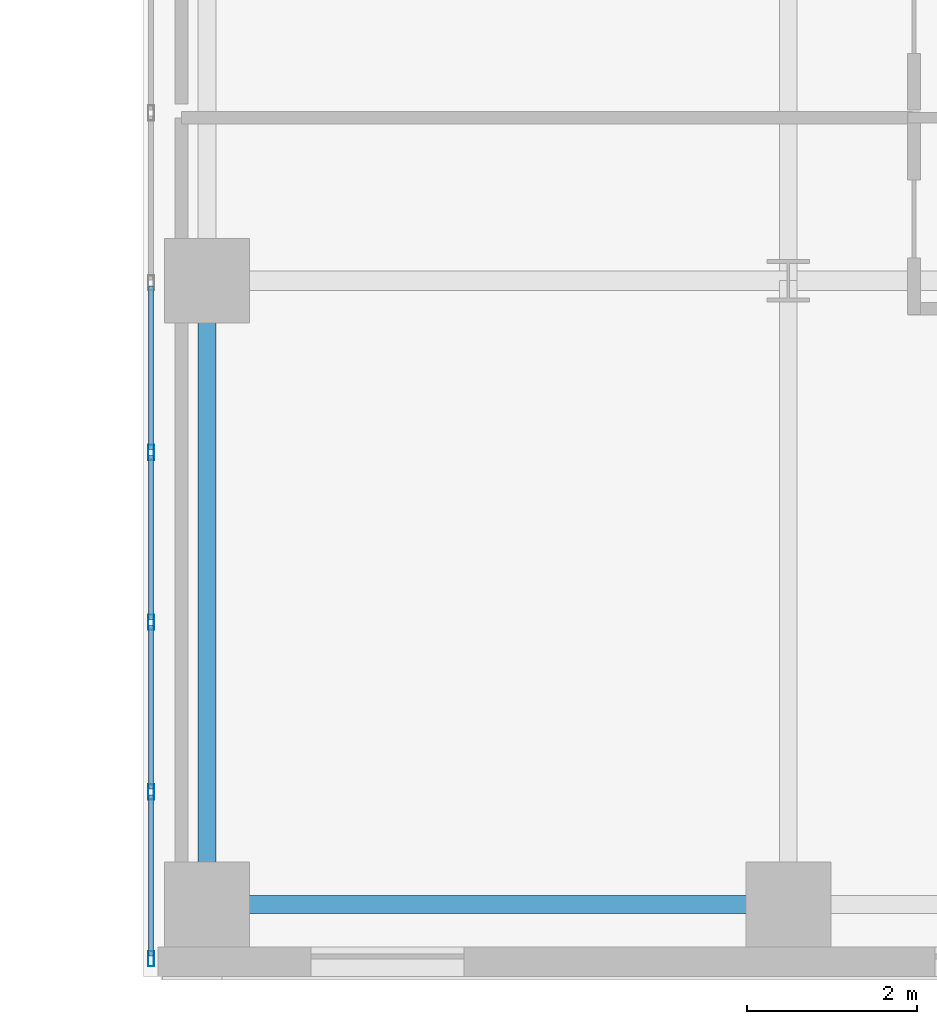
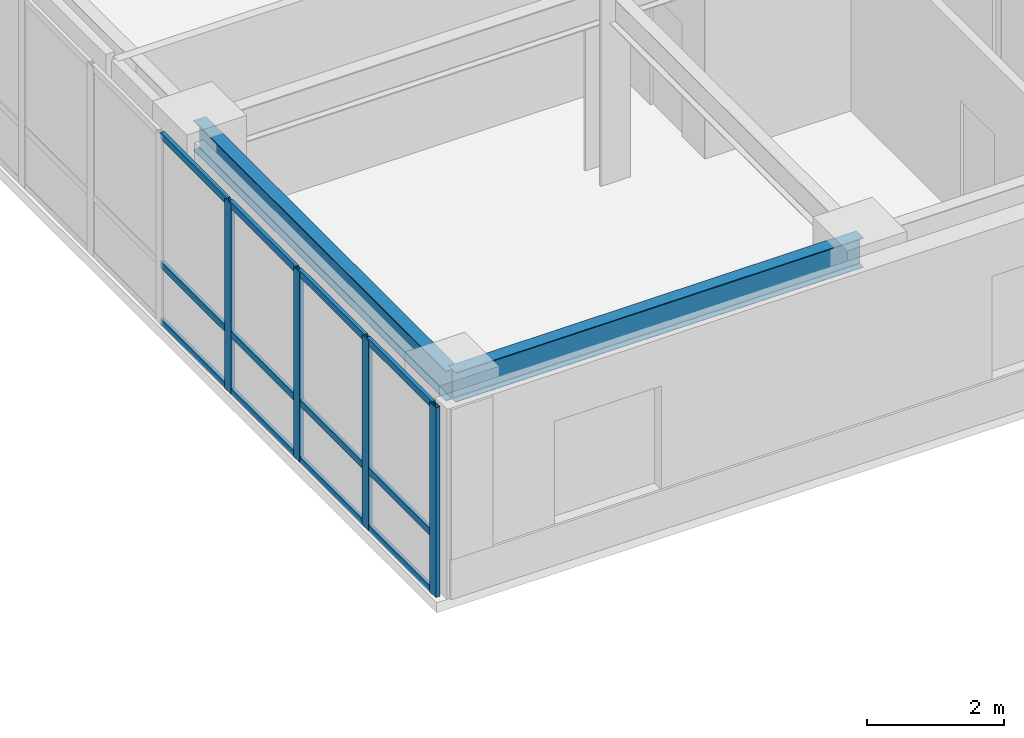
# One storey, part 7 of 25: 16 members, 2 beams, 1 element without a shape of its own.
"""IFC4 building model written with IfcOpenShell, lengths in metres."""

import ifcopenshell
import ifcopenshell.guid

model = None  # the IFC model being written
_history = None  # IfcOwnerHistory: only IFC2X3 demands one
_inside = {}  # id of a spatial element -> (the spatial element, [elements in it])
_under = {}  # id of a project, library or spatial element -> (it, [spatial elements below it])
_declared = {}  # id of a project -> (the project, [libraries it declares])
_typed = {}  # id of a type object -> (the type object, [elements of that type])
_made_of = {}  # id of a material, layer set ... -> (it, [elements and type objects made of it])


def new_model(schema):
    """Start an empty IFC model of exactly this schema.

    Asked for "IFC4X3", IfcOpenShell would pick the latest addendum, in which some entities
    have other attributes; the version numbers below select the first issue.
    IFC2X3 requires an IfcOwnerHistory on every rooted entity: one is made here for all.
    """
    global model, _history
    if schema == "IFC4X3":
        model = ifcopenshell.file(schema_version=(4, 3, 0, 0))
    else:
        model = ifcopenshell.file(schema=schema)
    _inside.clear()
    _under.clear()
    _declared.clear()
    _typed.clear()
    _made_of.clear()
    _history = None
    if model.schema == "IFC2X3":
        org = make("IfcOrganization", Name="unknown")
        user = make(
            "IfcPersonAndOrganization",
            ThePerson=make("IfcPerson", FamilyName="unknown"),
            TheOrganization=org,
        )
        app = make(
            "IfcApplication",
            ApplicationDeveloper=org,
            Version="unknown",
            ApplicationFullName="unknown",
            ApplicationIdentifier="unknown",
        )
        _history = make(
            "IfcOwnerHistory",
            OwningUser=user,
            OwningApplication=app,
            ChangeAction="ADDED",
            CreationDate=0,
        )
    return model


def make(cls, **values):
    """One entity of the class cls with the attributes given. An attribute that is None is left unset."""
    return model.create_entity(
        cls, **{name: value for name, value in values.items() if value is not None}
    )


def rooted(cls, **values):
    """An entity with a GlobalId (a new one), such as an element, a storey or a relation."""
    return make(cls, GlobalId=ifcopenshell.guid.new(), OwnerHistory=_history, **values)


def si_unit(unit_type, name, prefix=None):
    """IfcSIUnit, for example si_unit("LENGTHUNIT", "METRE", prefix="MILLI")."""
    return make("IfcSIUnit", UnitType=unit_type, Prefix=prefix, Name=name)


def assignment(units):
    """IfcUnitAssignment: the units of a project."""
    return None if units is None else make("IfcUnitAssignment", Units=units)


def point(xyz):
    """IfcCartesianPoint."""
    return None if xyz is None else make("IfcCartesianPoint", Coordinates=xyz)


def direction(xyz):
    """IfcDirection."""
    return None if xyz is None else make("IfcDirection", DirectionRatios=xyz)


def frame(location, z_axis=None, x_axis=None):
    """IfcAxis2Placement3D, a coordinate frame: its origin and axes. An axis left out is left unset."""
    return make(
        "IfcAxis2Placement3D",
        Location=point(location),
        Axis=direction(z_axis),
        RefDirection=direction(x_axis),
    )


def frame_2d(location, x_axis=None):
    """IfcAxis2Placement2D, a coordinate frame in the plane: its origin and x axis."""
    return make(
        "IfcAxis2Placement2D", Location=point(location), RefDirection=direction(x_axis)
    )


def origin():
    """The frame at (0, 0, 0) with its axes left unset."""
    return frame((0.0, 0.0, 0.0))


def origin_2d():
    """The frame at (0, 0) in the plane with its x axis left unset."""
    return frame_2d((0.0, 0.0))


def place(relative_to, where):
    """IfcLocalPlacement: puts the frame where relative to a parent placement (None: the world)."""
    return make(
        "IfcLocalPlacement", PlacementRelTo=relative_to, RelativePlacement=where
    )


def context(
    kind, dimensions, precision=None, world=None, true_north=None, identifier=None
):
    """IfcGeometricRepresentationContext, for example the 3D "Model" context."""
    return make(
        "IfcGeometricRepresentationContext",
        ContextIdentifier=identifier,
        ContextType=kind,
        CoordinateSpaceDimension=dimensions,
        Precision=precision,
        WorldCoordinateSystem=world,
        TrueNorth=true_north,
    )


def subcontext(parent, identifier, kind, view, scale=None):
    """IfcGeometricRepresentationSubContext, for example "Body" below "Model"."""
    return make(
        "IfcGeometricRepresentationSubContext",
        ContextIdentifier=identifier,
        ContextType=kind,
        ParentContext=parent,
        TargetScale=scale,
        TargetView=view,
    )


def project(units=None, contexts=None):
    """IfcProject with its units and contexts."""
    return rooted(
        "IfcProject",
        Name="project",
        RepresentationContexts=contexts,
        UnitsInContext=assignment(units),
    )


def spatial(cls, under=None, at=None, **own):
    """A site, building, storey or space (cls), placed at a placement, below another one or the project."""
    s = rooted(cls, ObjectPlacement=at, **own)
    if under is not None:
        _under.setdefault(under.id(), (under, []))[1].append(s)
    return s


def profile(cls, at=None, kind="AREA", **sizes):
    """A parametric profile (cls). Its sizes go by their IFC names, for example OverallWidth=200.0."""
    return make(cls, ProfileType=kind, Position=at, **sizes)


def hollow_rectangle(**sizes):
    """IfcRectangleHollowProfileDef."""
    return profile("IfcRectangleHollowProfileDef", **sizes)


def i_section(**sizes):
    """IfcIShapeProfileDef."""
    return profile("IfcIShapeProfileDef", **sizes)


def extrude(swept, where, along, depth):
    """IfcExtrudedAreaSolid: the profile swept, set in the frame where, extruded along a direction by depth."""
    return make(
        "IfcExtrudedAreaSolid",
        SweptArea=swept,
        Position=where,
        ExtrudedDirection=direction(along),
        Depth=depth,
    )


def shape(context_of_items, identifier, shape_type, items):
    """IfcShapeRepresentation: the items that make up one representation, for example the "Body"."""
    return make(
        "IfcShapeRepresentation",
        ContextOfItems=context_of_items,
        RepresentationIdentifier=identifier,
        RepresentationType=shape_type,
        Items=items,
    )


def source(mapping_origin, context_of_items, identifier, shape_type, items):
    """IfcRepresentationMap: a shape defined once, which mapped items show again and again."""
    return make(
        "IfcRepresentationMap",
        MappingOrigin=mapping_origin,
        MappedRepresentation=shape(context_of_items, identifier, shape_type, items),
    )


def transform(
    local_origin,
    x_axis=None,
    y_axis=None,
    z_axis=None,
    scale=None,
    scale2=None,
    scale3=None,
    uniform=True,
):
    """IfcCartesianTransformationOperator3D, or its non-uniform kind. x_axis, y_axis, z_axis: its Axis1, 2, 3."""
    if uniform:
        return make(
            "IfcCartesianTransformationOperator3D",
            Axis1=direction(x_axis),
            Axis2=direction(y_axis),
            LocalOrigin=point(local_origin),
            Scale=scale,
            Axis3=direction(z_axis),
        )
    return make(
        "IfcCartesianTransformationOperator3DnonUniform",
        Axis1=direction(x_axis),
        Axis2=direction(y_axis),
        LocalOrigin=point(local_origin),
        Scale=scale,
        Axis3=direction(z_axis),
        Scale2=scale2,
        Scale3=scale3,
    )


def mapped(mapping_source, mapping_target):
    """IfcMappedItem: shows the shape of a source again, moved by a transform."""
    return make(
        "IfcMappedItem", MappingSource=mapping_source, MappingTarget=mapping_target
    )


def material(Name=None, Category=None):
    """IfcMaterial."""
    return make("IfcMaterial", Name=Name, Category=Category)


def layer(
    of_material, thickness, ventilated=None, Name=None, Category=None, Priority=None
):
    """IfcMaterialLayer: one layer of a wall or slab, of a material (None: an air gap)."""
    return make(
        "IfcMaterialLayer",
        Material=of_material,
        LayerThickness=thickness,
        IsVentilated=ventilated,
        Name=Name,
        Category=Category,
        Priority=Priority,
    )


def layer_set(layers, Name=None):
    """IfcMaterialLayerSet."""
    return make("IfcMaterialLayerSet", MaterialLayers=layers, LayerSetName=Name)


def material_profile(
    of_material, cross_section, Name=None, Category=None, Priority=None
):
    """IfcMaterialProfile: a cross section and its material."""
    return make(
        "IfcMaterialProfile",
        Name=Name,
        Material=of_material,
        Profile=cross_section,
        Priority=Priority,
        Category=Category,
    )


def profile_set(profiles, Name=None, composite=None):
    """IfcMaterialProfileSet."""
    return make(
        "IfcMaterialProfileSet",
        Name=Name,
        MaterialProfiles=profiles,
        CompositeProfile=composite,
    )


def made_of(thing, what):
    """Note that an element or type object is made of a material, layer set ...; save() writes the relation."""
    if what is not None:
        _made_of.setdefault(what.id(), (what, []))[1].append(thing)
    return thing


def type_object(cls, material=None, **own):
    """A type object (cls), such as IfcWallType, which elements share."""
    return made_of(rooted(cls, **own), material)


def type_shapes(of_type, sources):
    """Give a type object the sources (RepresentationMaps) that its elements show as mapped items."""
    of_type.RepresentationMaps = sources


def element(
    cls,
    number,
    at=None,
    inside=None,
    cuts=None,
    type_object=None,
    material=None,
    context=None,
    identifier="Body",
    shape_type=None,
    held_by="IfcProductDefinitionShape",
    body=None,
    shapes=None,
    **own,
):
    """One element of the class cls, such as IfcWall. Its Tag is "e" and its number.

    at: its placement. inside: the storey or other place that contains it. cuts: it is an
    opening in that element (IfcRelVoidsElement). A single representation is given by context,
    identifier, shape_type and body (its items); several are given by shapes. held_by: the class
    of the entity that holds the representations. save() writes the other relations.
    """
    e = rooted(cls, Tag="e%d" % number, ObjectPlacement=at, **own)
    if body is not None:
        shapes = [shape(context, identifier, shape_type, body)]
    if shapes is not None:
        e.Representation = make(held_by, Representations=shapes)
    if inside is not None:
        _inside.setdefault(inside.id(), (inside, []))[1].append(e)
    if cuts is not None:
        rooted(
            "IfcRelVoidsElement", RelatingBuildingElement=cuts, RelatedOpeningElement=e
        )
    if type_object is not None:
        _typed.setdefault(type_object.id(), (type_object, []))[1].append(e)
    return made_of(e, material)


def aggregate(whole, parts):
    """IfcRelAggregates: a whole, such as a stair, and the parts it consists of."""
    return rooted("IfcRelAggregates", RelatingObject=whole, RelatedObjects=parts)


def save(model, path):
    """Write the relations noted so far, then the file.

    IfcRelAggregates (storeys below a building ...), IfcRelContainedInSpatialStructure (elements
    in a storey), IfcRelDefinesByType, IfcRelAssociatesMaterial and IfcRelDeclares: one each for
    every whole, place, type object, material and project.
    """
    for whole, parts in _under.values():
        aggregate(whole, parts)
    for where, things in _inside.values():
        rooted(
            "IfcRelContainedInSpatialStructure",
            RelatedElements=things,
            RelatingStructure=where,
        )
    for kind, things in _typed.values():
        rooted("IfcRelDefinesByType", RelatedObjects=things, RelatingType=kind)
    for what, things in _made_of.values():
        rooted("IfcRelAssociatesMaterial", RelatedObjects=things, RelatingMaterial=what)
    for by, libraries in _declared.values():
        rooted("IfcRelDeclares", RelatingContext=by, RelatedDefinitions=libraries)
    model.write(path)


model = new_model("IFC4")

# Units and contexts
model_context = context("Model", 3, precision=1e-05, world=origin(), true_north=direction((0.0, 1.0)))
body_context = subcontext(model_context, "Body", "Model", "MODEL_VIEW")
ifc_project = project(units=[si_unit("LENGTHUNIT", "METRE"), si_unit("AREAUNIT", "SQUARE_METRE"), si_unit("VOLUMEUNIT", "CUBIC_METRE"), si_unit("PLANEANGLEUNIT", "RADIAN"), si_unit("MASSUNIT", "GRAM", prefix="KILO")], contexts=[model_context])

# Site, building, storey
site_placement = place(None, origin())
site = spatial("IfcSite", under=ifc_project, at=site_placement, CompositionType="ELEMENT")
building_placement = place(site_placement, origin())
building = spatial("IfcBuilding", under=site, at=building_placement, Name="Tolvann Quenvar Hotel", CompositionType="ELEMENT")
storey_placement = place(building_placement, frame((0.0, 0.0, 60.39990234375)))
storey = spatial("IfcBuildingStorey", under=building, at=storey_placement, Name="L14", CompositionType="ELEMENT", Elevation=60.39990234375)

# Beams
ifc_material_1 = material(Name="Steel Grade 350", Category="steel")
ifc_material_profile_1 = material_profile(ifc_material_1, i_section(OverallWidth=0.208984375, OverallDepth=0.528076171875, WebThickness=0.009521484375, FlangeThickness=0.01318359375, FilletRadius=0.013916015625, at=origin_2d()), Name="530UB82")
ifc_profile_set_1 = profile_set([ifc_material_profile_1], Name="Steel Grade 350")
beam_type_1 = type_object("IfcBeamType", Name="BM_SPAND_530UB82", PredefinedType="SPANDREL", material=ifc_profile_set_1)
shared_shape_1 = source(origin(), body_context, "Body", "SweptSolid", [
    extrude(i_section(OverallWidth=0.208984375, OverallDepth=0.528076171875, WebThickness=0.009521484375, FlangeThickness=0.01318359375, FilletRadius=0.013916015625, at=origin_2d()), origin(), (0.0, 0.0, 1.0), 6.85009765625),
])
type_shapes(beam_type_1, [shared_shape_1])
beam_1_placement = place(storey_placement, frame((34.949951171875, 0.85009765625, 3.106201171875), z_axis=(1.0, 0.0, 0.0), x_axis=(0.0, 1.0, 0.0)))
element("IfcBeam", 1, at=beam_1_placement, inside=storey, type_object=beam_type_1, Name="BM-L14-EW-2-F2-H2", PredefinedType="SPANDREL", context=body_context, shape_type="MappedRepresentation", body=[
    mapped(shared_shape_1, transform((0.0, 0.0, 0.0), x_axis=(1.0, 0.0, 0.0), y_axis=(0.0, 1.0, 0.0), z_axis=(0.0, 0.0, 1.0), scale=1.0)),
])
ifc_material_profile_2 = material_profile(ifc_material_1, i_section(OverallWidth=0.208984375, OverallDepth=0.532958984375, WebThickness=0.01025390625, FlangeThickness=0.015625, FilletRadius=0.013916015625, at=origin_2d()), Name="530UB92")
ifc_profile_set_2 = profile_set([ifc_material_profile_2], Name="Steel Grade 350")
beam_type_2 = type_object("IfcBeamType", Name="BM_GIRD_530UB92", PredefinedType="BEAM", material=ifc_profile_set_2)
shared_shape_2 = source(origin(), body_context, "Body", "SweptSolid", [
    extrude(i_section(OverallWidth=0.208984375, OverallDepth=0.532958984375, WebThickness=0.01025390625, FlangeThickness=0.015625, FilletRadius=0.013916015625, at=origin_2d()), origin(), (0.0, 0.0, 1.0), 7.349853515625),
])
type_shapes(beam_type_2, [shared_shape_2])
beam_2_placement = place(storey_placement, frame((34.949951171875, 0.85009765625, 3.103515625), z_axis=(0.0, 1.0, 0.0), x_axis=(-1.0, 0.0, 0.0)))
element("IfcBeam", 2, at=beam_2_placement, inside=storey, type_object=beam_type_2, Name="BM-L14-NS-F2-F3", PredefinedType="BEAM", context=body_context, shape_type="MappedRepresentation", body=[
    mapped(shared_shape_2, transform((0.0, 0.0, 0.0), x_axis=(1.0, 0.0, 0.0), y_axis=(0.0, 1.0, 0.0), z_axis=(0.0, 0.0, 1.0), scale=1.0)),
])

# Curtain wall, members
ifc_material_2 = material(Name="Thermally broken anodised architectural aluminium 6063-T6 and laminated low-E glass", Category="aluminium")
ifc_layer = layer(ifc_material_2, 0.179931640625)
ifc_layer_set = layer_set([ifc_layer], Name="Thermally broken anodised architectural aluminium 6063-T6 and laminated low-E glass")
curtain_wall_type = type_object("IfcCurtainWallType", Name="CW_SYS_SLOT_03", PredefinedType="USERDEFINED", material=ifc_layer_set)
curtain_wall_placement = place(storey_placement, origin())
curtain_wall = element("IfcCurtainWall", 3, at=curtain_wall_placement, inside=storey, type_object=curtain_wall_type, Name="Curtain Wall CW-SLOT-03 (CWR-L14-E07)", ObjectType="UNITISED CURTAIN WALL", PredefinedType="USERDEFINED")
ifc_material_3 = material(Name="Anodised architectural aluminium 6063-T6 framing", Category="aluminium")
ifc_material_profile_3 = material_profile(ifc_material_3, hollow_rectangle(XDim=0.070068359375, YDim=0.179931640625, WallThickness=0.00390625, at=origin_2d()), Name="180x70x4RHS")
ifc_profile_set_3 = profile_set([ifc_material_profile_3], Name="Anodised architectural aluminium 6063-T6 framing")
member_type_1 = type_object("IfcMemberType", Name="CW_MULL_180x70", PredefinedType="MULLION", material=ifc_profile_set_3)
shared_shape_3 = source(origin(), body_context, "Body", "SweptSolid", [
    extrude(hollow_rectangle(XDim=0.070068359375, YDim=0.179931640625, WallThickness=0.00390625, at=origin_2d()), origin(), (0.0, 0.0, 1.0), 3.3701171875),
])
type_shapes(member_type_1, [shared_shape_3])
member_1_placement = place(storey_placement, frame((34.2900390625, 6.175048828125, 0.0), z_axis=(0.0, 0.0, 1.0), x_axis=(1.0, 0.0, 0.0)))
member_1 = element("IfcMember", 4, at=member_1_placement, type_object=member_type_1, Name="CW-SLOT-03 mullion 6", PredefinedType="MULLION", context=body_context, shape_type="MappedRepresentation", body=[
    mapped(shared_shape_3, transform((0.0, 0.0, 0.0), x_axis=(1.0, 0.0, 0.0), y_axis=(0.0, 1.0, 0.0), z_axis=(0.0, 0.0, 1.0), scale=1.0)),
])
member_2_placement = place(storey_placement, frame((34.2900390625, 4.175048828125, 0.0), z_axis=(0.0, 0.0, 1.0), x_axis=(1.0, 0.0, 0.0)))
member_2 = element("IfcMember", 5, at=member_2_placement, type_object=member_type_1, Name="CW-SLOT-03 mullion 7", PredefinedType="MULLION", context=body_context, shape_type="MappedRepresentation", body=[
    mapped(shared_shape_3, transform((0.0, 0.0, 0.0), x_axis=(1.0, 0.0, 0.0), y_axis=(0.0, 1.0, 0.0), z_axis=(0.0, 0.0, 1.0), scale=1.0)),
])
member_3_placement = place(storey_placement, frame((34.2900390625, 2.175048828125, 0.0), z_axis=(0.0, 0.0, 1.0), x_axis=(1.0, 0.0, 0.0)))
member_3 = element("IfcMember", 6, at=member_3_placement, type_object=member_type_1, Name="CW-SLOT-03 mullion 8", PredefinedType="MULLION", context=body_context, shape_type="MappedRepresentation", body=[
    mapped(shared_shape_3, transform((0.0, 0.0, 0.0), x_axis=(1.0, 0.0, 0.0), y_axis=(0.0, 1.0, 0.0), z_axis=(0.0, 0.0, 1.0), scale=1.0)),
])
member_4_placement = place(storey_placement, frame((34.2900390625, 0.2099609375, 0.0), z_axis=(0.0, 0.0, 1.0), x_axis=(1.0, 0.0, 0.0)))
member_4 = element("IfcMember", 7, at=member_4_placement, type_object=member_type_1, Name="CW-SLOT-03 mullion 9", PredefinedType="MULLION", context=body_context, shape_type="MappedRepresentation", body=[
    mapped(shared_shape_3, transform((0.0, 0.0, 0.0), x_axis=(1.0, 0.0, 0.0), y_axis=(0.0, 1.0, 0.0), z_axis=(0.0, 0.0, 1.0), scale=1.0)),
])
ifc_material_profile_4 = material_profile(ifc_material_3, hollow_rectangle(XDim=0.06005859375, YDim=0.1201171875, WallThickness=0.00341796875, at=origin_2d()), Name="120x60x3.5RHS")
ifc_profile_set_4 = profile_set([ifc_material_profile_4], Name="Anodised architectural aluminium 6063-T6 framing")
member_type_2 = type_object("IfcMemberType", Name="CW_TRAN_120x60", PredefinedType="USERDEFINED", material=ifc_profile_set_4)
shared_shape_4 = source(origin(), body_context, "Body", "SweptSolid", [
    extrude(hollow_rectangle(XDim=0.06005859375, YDim=0.1201171875, WallThickness=0.00341796875, at=origin_2d()), origin(), (0.0, 0.0, 1.0), 1.894775390625),
])
member_5_placement = place(storey_placement, frame((34.2900390625, 2.139892578125, 0.030029296875), z_axis=(0.0, -1.0, 0.0), x_axis=(1.0, 0.0, 0.0)))
member_5 = element("IfcMember", 8, at=member_5_placement, type_object=member_type_2, Name="CW-SLOT-03 transom 8.1", ObjectType="TRANSOM", PredefinedType="USERDEFINED", context=body_context, shape_type="MappedRepresentation", body=[
    mapped(shared_shape_4, transform((0.0, 0.0, 0.0), x_axis=(1.0, 0.0, 0.0), y_axis=(0.0, 1.0, 0.0), z_axis=(0.0, 0.0, 1.0), scale=1.0)),
])
member_6_placement = place(storey_placement, frame((34.2900390625, 2.139892578125, 1.050048828125), z_axis=(0.0, -1.0, 0.0), x_axis=(1.0, 0.0, 0.0)))
member_6 = element("IfcMember", 9, at=member_6_placement, type_object=member_type_2, Name="CW-SLOT-03 transom 8.2", ObjectType="TRANSOM", PredefinedType="USERDEFINED", context=body_context, shape_type="MappedRepresentation", body=[
    mapped(shared_shape_4, transform((0.0, 0.0, 0.0), x_axis=(1.0, 0.0, 0.0), y_axis=(0.0, 1.0, 0.0), z_axis=(0.0, 0.0, 1.0), scale=1.0)),
])
member_7_placement = place(storey_placement, frame((34.2900390625, 2.139892578125, 3.340087890625), z_axis=(0.0, -1.0, 0.0), x_axis=(1.0, 0.0, 0.0)))
member_7 = element("IfcMember", 10, at=member_7_placement, type_object=member_type_2, Name="CW-SLOT-03 transom 8.3", ObjectType="TRANSOM", PredefinedType="USERDEFINED", context=body_context, shape_type="MappedRepresentation", body=[
    mapped(shared_shape_4, transform((0.0, 0.0, 0.0), x_axis=(1.0, 0.0, 0.0), y_axis=(0.0, 1.0, 0.0), z_axis=(0.0, 0.0, 1.0), scale=1.0)),
])
shared_shape_5 = source(origin(), body_context, "Body", "SweptSolid", [
    extrude(hollow_rectangle(XDim=0.06005859375, YDim=0.1201171875, WallThickness=0.00341796875, at=origin_2d()), origin(), (0.0, 0.0, 1.0), 1.929931640625),
])
type_shapes(member_type_2, [shared_shape_4, shared_shape_5])
member_8_placement = place(storey_placement, frame((34.2900390625, 8.139892578125, 0.030029296875), z_axis=(0.0, -1.0, 0.0), x_axis=(1.0, 0.0, 0.0)))
member_8 = element("IfcMember", 11, at=member_8_placement, type_object=member_type_2, Name="CW-SLOT-03 transom 5.1", ObjectType="TRANSOM", PredefinedType="USERDEFINED", context=body_context, shape_type="MappedRepresentation", body=[
    mapped(shared_shape_5, transform((0.0, 0.0, 0.0), x_axis=(1.0, 0.0, 0.0), y_axis=(0.0, 1.0, 0.0), z_axis=(0.0, 0.0, 1.0), scale=1.0)),
])
member_9_placement = place(storey_placement, frame((34.2900390625, 8.139892578125, 1.050048828125), z_axis=(0.0, -1.0, 0.0), x_axis=(1.0, 0.0, 0.0)))
member_9 = element("IfcMember", 12, at=member_9_placement, type_object=member_type_2, Name="CW-SLOT-03 transom 5.2", ObjectType="TRANSOM", PredefinedType="USERDEFINED", context=body_context, shape_type="MappedRepresentation", body=[
    mapped(shared_shape_5, transform((0.0, 0.0, 0.0), x_axis=(1.0, 0.0, 0.0), y_axis=(0.0, 1.0, 0.0), z_axis=(0.0, 0.0, 1.0), scale=1.0)),
])
member_10_placement = place(storey_placement, frame((34.2900390625, 8.139892578125, 3.340087890625), z_axis=(0.0, -1.0, 0.0), x_axis=(1.0, 0.0, 0.0)))
member_10 = element("IfcMember", 13, at=member_10_placement, type_object=member_type_2, Name="CW-SLOT-03 transom 5.3", ObjectType="TRANSOM", PredefinedType="USERDEFINED", context=body_context, shape_type="MappedRepresentation", body=[
    mapped(shared_shape_5, transform((0.0, 0.0, 0.0), x_axis=(1.0, 0.0, 0.0), y_axis=(0.0, 1.0, 0.0), z_axis=(0.0, 0.0, 1.0), scale=1.0)),
])
member_11_placement = place(storey_placement, frame((34.2900390625, 6.139892578125, 0.030029296875), z_axis=(0.0, -1.0, 0.0), x_axis=(1.0, 0.0, 0.0)))
member_11 = element("IfcMember", 14, at=member_11_placement, type_object=member_type_2, Name="CW-SLOT-03 transom 6.1", ObjectType="TRANSOM", PredefinedType="USERDEFINED", context=body_context, shape_type="MappedRepresentation", body=[
    mapped(shared_shape_5, transform((0.0, 0.0, 0.0), x_axis=(1.0, 0.0, 0.0), y_axis=(0.0, 1.0, 0.0), z_axis=(0.0, 0.0, 1.0), scale=1.0)),
])
member_12_placement = place(storey_placement, frame((34.2900390625, 6.139892578125, 1.050048828125), z_axis=(0.0, -1.0, 0.0), x_axis=(1.0, 0.0, 0.0)))
member_12 = element("IfcMember", 15, at=member_12_placement, type_object=member_type_2, Name="CW-SLOT-03 transom 6.2", ObjectType="TRANSOM", PredefinedType="USERDEFINED", context=body_context, shape_type="MappedRepresentation", body=[
    mapped(shared_shape_5, transform((0.0, 0.0, 0.0), x_axis=(1.0, 0.0, 0.0), y_axis=(0.0, 1.0, 0.0), z_axis=(0.0, 0.0, 1.0), scale=1.0)),
])
member_13_placement = place(storey_placement, frame((34.2900390625, 6.139892578125, 3.340087890625), z_axis=(0.0, -1.0, 0.0), x_axis=(1.0, 0.0, 0.0)))
member_13 = element("IfcMember", 16, at=member_13_placement, type_object=member_type_2, Name="CW-SLOT-03 transom 6.3", ObjectType="TRANSOM", PredefinedType="USERDEFINED", context=body_context, shape_type="MappedRepresentation", body=[
    mapped(shared_shape_5, transform((0.0, 0.0, 0.0), x_axis=(1.0, 0.0, 0.0), y_axis=(0.0, 1.0, 0.0), z_axis=(0.0, 0.0, 1.0), scale=1.0)),
])
member_14_placement = place(storey_placement, frame((34.2900390625, 4.139892578125, 0.030029296875), z_axis=(0.0, -1.0, 0.0), x_axis=(1.0, 0.0, 0.0)))
member_14 = element("IfcMember", 17, at=member_14_placement, type_object=member_type_2, Name="CW-SLOT-03 transom 7.1", ObjectType="TRANSOM", PredefinedType="USERDEFINED", context=body_context, shape_type="MappedRepresentation", body=[
    mapped(shared_shape_5, transform((0.0, 0.0, 0.0), x_axis=(1.0, 0.0, 0.0), y_axis=(0.0, 1.0, 0.0), z_axis=(0.0, 0.0, 1.0), scale=1.0)),
])
member_15_placement = place(storey_placement, frame((34.2900390625, 4.139892578125, 1.050048828125), z_axis=(0.0, -1.0, 0.0), x_axis=(1.0, 0.0, 0.0)))
member_15 = element("IfcMember", 18, at=member_15_placement, type_object=member_type_2, Name="CW-SLOT-03 transom 7.2", ObjectType="TRANSOM", PredefinedType="USERDEFINED", context=body_context, shape_type="MappedRepresentation", body=[
    mapped(shared_shape_5, transform((0.0, 0.0, 0.0), x_axis=(1.0, 0.0, 0.0), y_axis=(0.0, 1.0, 0.0), z_axis=(0.0, 0.0, 1.0), scale=1.0)),
])
member_16_placement = place(storey_placement, frame((34.2900390625, 4.139892578125, 3.340087890625), z_axis=(0.0, -1.0, 0.0), x_axis=(1.0, 0.0, 0.0)))
member_16 = element("IfcMember", 19, at=member_16_placement, type_object=member_type_2, Name="CW-SLOT-03 transom 7.3", ObjectType="TRANSOM", PredefinedType="USERDEFINED", context=body_context, shape_type="MappedRepresentation", body=[
    mapped(shared_shape_5, transform((0.0, 0.0, 0.0), x_axis=(1.0, 0.0, 0.0), y_axis=(0.0, 1.0, 0.0), z_axis=(0.0, 0.0, 1.0), scale=1.0)),
])
aggregate(curtain_wall, [member_1, member_2, member_3, member_4, member_8, member_9, member_10, member_11, member_12, member_13, member_14, member_15, member_16, member_5, member_6, member_7])

save(model, "model.ifc")
